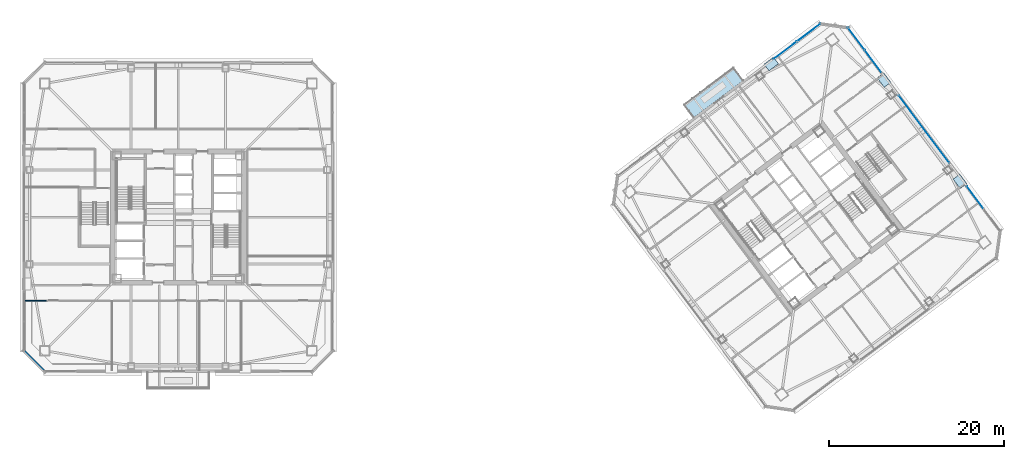
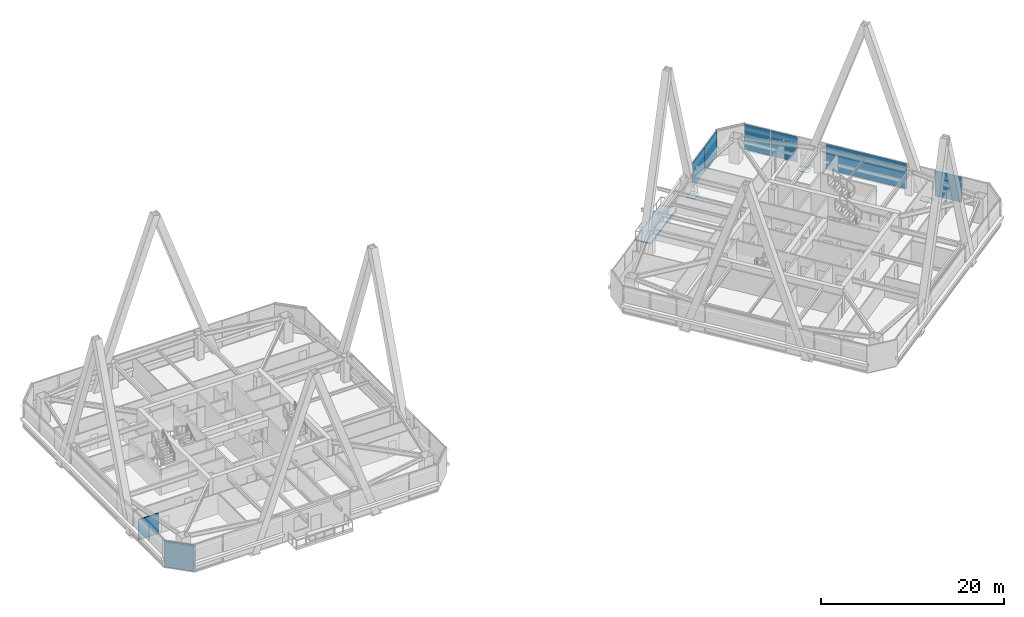
# One storey, part 44 of 55: 9 plates, 2 walls, 1 slab, 4 elements without a shape of their own.
"""IFC4 building model written with IfcOpenShell, lengths in metres."""

from ifc_helpers import new_model, si_unit, direction, frame, frame_2d, origin, origin_2d, place, context, subcontext, project, spatial, polyline, rectangle, outline, extrude, material, layer, layer_set, type_object, element, aggregate, save


model = new_model("IFC4")

# Units and contexts
model_context = context("Model", 3, precision=1e-05, world=origin(), true_north=direction((0.0, 1.0)))
body_context = subcontext(model_context, "Body", "Model", "MODEL_VIEW")
ifc_project = project(units=[si_unit("LENGTHUNIT", "METRE"), si_unit("AREAUNIT", "SQUARE_METRE"), si_unit("VOLUMEUNIT", "CUBIC_METRE"), si_unit("PLANEANGLEUNIT", "RADIAN"), si_unit("MASSUNIT", "GRAM", prefix="KILO")], contexts=[model_context])

# Site, building, storey
site_placement = place(None, origin())
site = spatial("IfcSite", under=ifc_project, at=site_placement, CompositionType="ELEMENT")
building_placement = place(site_placement, origin())
building = spatial("IfcBuilding", under=site, at=building_placement, Name="Tashvorn Skyway Center", CompositionType="ELEMENT")
storey_placement = place(building_placement, frame((0.0, 0.0, 178.300048828125)))
storey = spatial("IfcBuildingStorey", under=building, at=storey_placement, Name="L48", CompositionType="ELEMENT", Elevation=178.300048828125)

# Curtain wall, plates
ifc_material_1 = material(Name="Thermally broken bronze-anodized aluminium 6063-T6", Category="aluminium")
curtain_wall_type = type_object("IfcCurtainWallType", Name="CW-CW-Z4", PredefinedType="NOTDEFINED", material=ifc_material_1)
curtain_wall_1_placement = place(storey_placement, origin())
curtain_wall_1 = element("IfcCurtainWall", 1, at=curtain_wall_1_placement, inside=storey, type_object=curtain_wall_type, Name="Tower 2 L48 North Curtain Wall R Glazing Group 1", PredefinedType="NOTDEFINED")
ifc_material_2 = material(Name="Low-E solar-control double insulating safety glass", Category="glass")
ifc_layer_1 = layer(ifc_material_2, 0.035888671875)
ifc_layer_set_1 = layer_set([ifc_layer_1], Name="Low-E solar-control double insulating safety glass")
plate_type_1 = type_object("IfcPlateType", Name="CWP-CW-Z4", PredefinedType="CURTAIN_PANEL", material=ifc_layer_set_1)
plate_1_placement = place(storey_placement, frame((111.47802734375, 51.08349609375, 0.06982421875), z_axis=(0.0, 0.0, 1.0), x_axis=(0.79999825749, 0.60000232334, 0.0)))
plate_1 = element("IfcPlate", 2, at=plate_1_placement, type_object=plate_type_1, Name="CW-Z4 panel 1.1", PredefinedType="CURTAIN_PANEL", context=body_context, shape_type="SweptSolid", body=[
    extrude(rectangle(XDim=3.33837890625, YDim=0.035888671875, at=origin_2d()), origin(), (0.0, 0.0, 1.0), 3.409912109375),
])
plate_2_placement = place(storey_placement, frame((114.20458984375, 53.12841796875, 0.06982421875), z_axis=(0.0, 0.0, 1.0), x_axis=(0.79999825749, 0.60000232334, 0.0)))
plate_2 = element("IfcPlate", 3, at=plate_2_placement, type_object=plate_type_1, Name="CW-Z4 panel 2.1", PredefinedType="CURTAIN_PANEL", context=body_context, shape_type="SweptSolid", body=[
    extrude(rectangle(XDim=3.33837890625, YDim=0.035888671875, at=origin_2d()), origin(), (0.0, 0.0, 1.0), 3.409912109375),
])
aggregate(curtain_wall_1, [plate_1, plate_2])

curtain_wall_2_placement = place(storey_placement, origin())
curtain_wall_2 = element("IfcCurtainWall", 4, at=curtain_wall_2_placement, inside=storey, type_object=curtain_wall_type, Name="Tower 2 L48 East Unitised Curtain Wall Glazing Group 1", PredefinedType="NOTDEFINED")
plate_3_placement = place(storey_placement, frame((119.658447265625, 52.422119140625, 0.06982421875), z_axis=(0.0, 0.0, 1.0), x_axis=(0.600000000002, -0.799999999998, 0.0)))
plate_3 = element("IfcPlate", 5, at=plate_3_placement, type_object=plate_type_1, Name="CW-Z4 panel 1.1", PredefinedType="CURTAIN_PANEL", context=body_context, shape_type="SweptSolid", body=[
    extrude(rectangle(XDim=3.135009765625, YDim=0.035888671875, at=origin_2d()), origin(), (0.0, 0.0, 1.0), 3.409912109375),
])
plate_4_placement = place(storey_placement, frame((121.58154296875, 49.85791015625, 0.06982421875), z_axis=(0.0, 0.0, 1.0), x_axis=(0.600000000002, -0.799999999998, 0.0)))
plate_4 = element("IfcPlate", 6, at=plate_4_placement, type_object=plate_type_1, Name="CW-Z4 panel 2.1", PredefinedType="CURTAIN_PANEL", context=body_context, shape_type="SweptSolid", body=[
    extrude(rectangle(XDim=3.135009765625, YDim=0.035888671875, at=origin_2d()), origin(), (0.0, 0.0, 1.0), 3.409912109375),
])
aggregate(curtain_wall_2, [plate_3, plate_4])

# Curtain wall, plate
curtain_wall_3_placement = place(storey_placement, origin())
curtain_wall_3 = element("IfcCurtainWall", 7, at=curtain_wall_3_placement, inside=storey, type_object=curtain_wall_type, Name="Tower 2 L48 East Unitised Curtain Wall Glazing Group 2", PredefinedType="NOTDEFINED")
plate_5_placement = place(storey_placement, frame((127.424072265625, 42.068115234375, 0.06982421875), z_axis=(0.0, 0.0, 1.0), x_axis=(0.600000000002, -0.799999999998, 0.0)))
plate_5 = element("IfcPlate", 8, at=plate_5_placement, type_object=plate_type_1, Name="CW-Z4 panel 1.1", PredefinedType="CURTAIN_PANEL", context=body_context, shape_type="SweptSolid", body=[
    extrude(rectangle(XDim=9.580078125, YDim=0.035888671875, at=origin_2d()), origin(), (0.0, 0.0, 1.0), 3.409912109375),
])
aggregate(curtain_wall_3, [plate_5])

curtain_wall_4_placement = place(storey_placement, origin())
curtain_wall_4 = element("IfcCurtainWall", 9, at=curtain_wall_4_placement, inside=storey, type_object=curtain_wall_type, Name="Tower 2 L48 East Unitised Curtain Wall Glazing Group 3", PredefinedType="NOTDEFINED")
plate_6_placement = place(storey_placement, frame((133.2666015625, 34.278076171875, 0.06982421875), z_axis=(0.0, 0.0, 1.0), x_axis=(0.600000000002, -0.799999999998, 0.0)))
plate_6 = element("IfcPlate", 10, at=plate_6_placement, type_object=plate_type_1, Name="CW-Z4 panel 1.1", PredefinedType="CURTAIN_PANEL", context=body_context, shape_type="SweptSolid", body=[
    extrude(rectangle(XDim=3.135009765625, YDim=0.035888671875, at=origin_2d()), origin(), (0.0, 0.0, 1.0), 3.409912109375),
])
aggregate(curtain_wall_4, [plate_6])

# Plates
ifc_material_3 = material(Name="Steel ASTM A572 Grade 50", Category="steel")
ifc_layer_2 = layer(ifc_material_3, 0.044921875)
ifc_layer_set_2 = layer_set([ifc_layer_2], Name="Steel ASTM A572 Grade 50")
plate_type_2 = type_object("IfcPlateType", Name="PLT-GUSSET-45", PredefinedType="USERDEFINED", material=ifc_layer_set_2)
for number, where, z_axis, x_axis, name in (
    (11, (131.533935546875, 36.087890625, -0.472412109375), (0.0, 0.0, 1.0), (-0.600000004945, 0.799999996291, 0.0), "Tower 2 Zone 4 E Mid-Chevron Node Gusset L"),
    (12, (122.833984375, 47.68798828125, -0.472412109375), (0.0, 0.0, 1.0), (-0.600000004945, 0.799999996291, 0.0), "Tower 2 Zone 4 E Mid-Chevron Node Gusset R"),
    (13, (109.912109375, 49.533935546875, -0.472412109375), (0.0, 0.0, 1.0), (-0.799999996291, -0.600000004945, 0.0), "Tower 2 Zone 4 N Mid-Chevron Node Gusset L"),
):
    element("IfcPlate", number, at=place(storey_placement, frame(where, z_axis=z_axis, x_axis=x_axis)), inside=storey, type_object=plate_type_2, Name=name, ObjectType="GUSSET PLATE", PredefinedType="USERDEFINED", context=body_context, shape_type="SweptSolid", body=[
        extrude(rectangle(XDim=1.35009765625, YDim=0.949951171875, at=origin_2d()), origin(), (0.0, 0.0, 1.0), 0.044921875),
    ])

# Slab
ifc_material_4 = material(Name="Concrete C40/50", Category="concrete")
ifc_layer_3 = layer(ifc_material_4, 0.179931640625)
ifc_layer_set_3 = layer_set([ifc_layer_3], Name="Concrete C40/50")
slab_type = type_object("IfcSlabType", Name="SLAB-TERR-200", PredefinedType="FLOOR", material=ifc_layer_set_3)
slab_placement = place(storey_placement, frame((0.0, 0.0, -0.179931640625)))
element("IfcSlab", 14, at=slab_placement, inside=storey, type_object=slab_type, Name="Tower 2 L48 Spiral Planted Terrace Slab", PredefinedType="FLOOR", context=body_context, shape_type="SweptSolid", body=[
    extrude(outline(polyline([(100.986083984375, 43.35205078125), (106.74609375, 47.672119140625), (105.60009765625, 49.199951171875), (99.840087890625, 44.8798828125), (100.986083984375, 43.35205078125)])), origin(), (0.0, 0.0, 1.0), 0.179931640625),
])

# Walls
ifc_material_5 = material(Name="Precast concrete C40/50", Category="concrete")
ifc_layer_4 = layer(ifc_material_5, 0.280029296875)
ifc_layer_set_4 = layer_set([ifc_layer_4], Name="Precast concrete C40/50")
wall_type_1 = type_object("IfcWallType", Name="WALL-EXT-280", PredefinedType="SOLIDWALL", material=ifc_layer_set_4)
wall_1_placement = place(storey_placement, frame((26.699951171875, 14.300048828125, 0.0), z_axis=(0.0, 0.0, 1.0), x_axis=(-0.707106781187, 0.707106781187, 0.0)))
element("IfcWall", 15, at=wall_1_placement, inside=storey, type_object=wall_type_1, Name="Tower 1 L48 SW Precast Chamfer Wall", PredefinedType="SOLIDWALL", context=body_context, shape_type="SweptSolid", body=[
    extrude(rectangle(XDim=3.39404296875, YDim=0.280029296875, at=frame_2d((1.697021484375, 0.0))), origin(), (0.0, 0.0, 1.0), 3.369873046875),
])
ifc_material_6 = material(Name="Gypsum board on cold-formed steel stud framing", Category="steel")
ifc_layer_5 = layer(ifc_material_6, 0.135009765625)
ifc_layer_set_5 = layer_set([ifc_layer_5], Name="Gypsum board on cold-formed steel stud framing")
wall_type_2 = type_object("IfcWallType", Name="WALL-PART-135", PredefinedType="PARTITIONING", material=ifc_layer_set_5)
wall_2_placement = place(storey_placement, frame((24.320068359375, 22.429931640625, 0.0), z_axis=(0.0, 0.0, 1.0), x_axis=(1.0, 0.0, 0.0)))
element("IfcWall", 16, at=wall_2_placement, inside=storey, type_object=wall_type_2, Name="Tower 1 L48 South-West Suite North Wall", PredefinedType="PARTITIONING", context=body_context, shape_type="SweptSolid", body=[
    extrude(rectangle(XDim=2.530029296875, YDim=0.135009765625, at=frame_2d((1.26513671875, 0.0))), origin(), (0.0, 0.0, 1.0), 2.722900390625),
])

save(model, "model.ifc")
